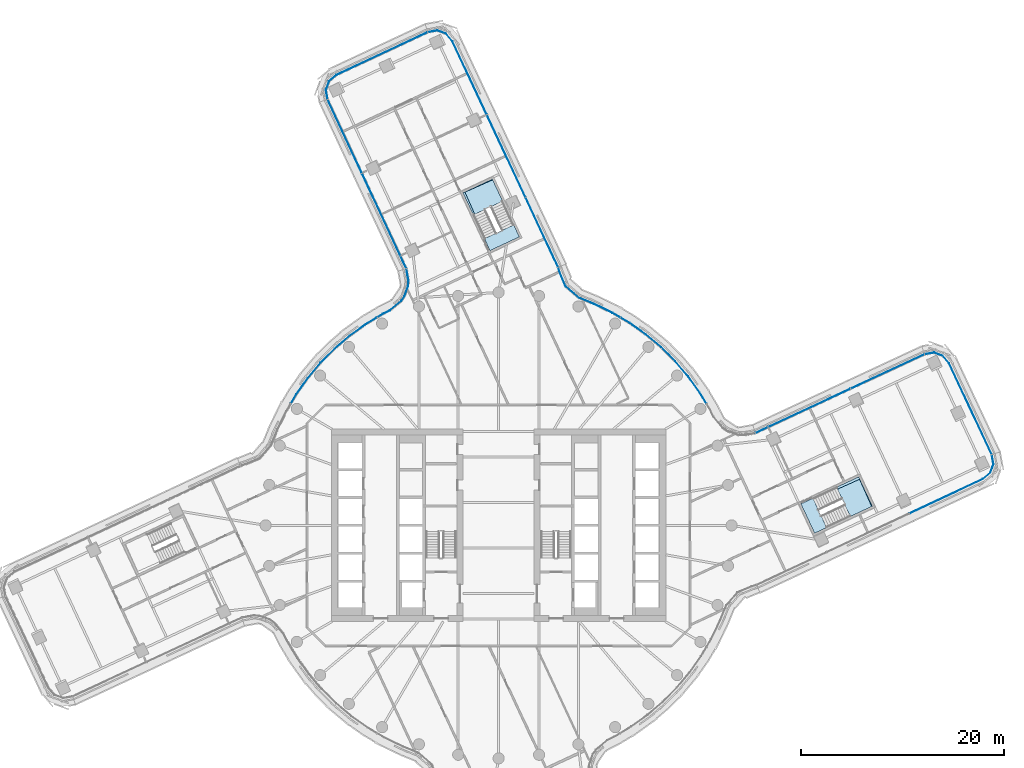
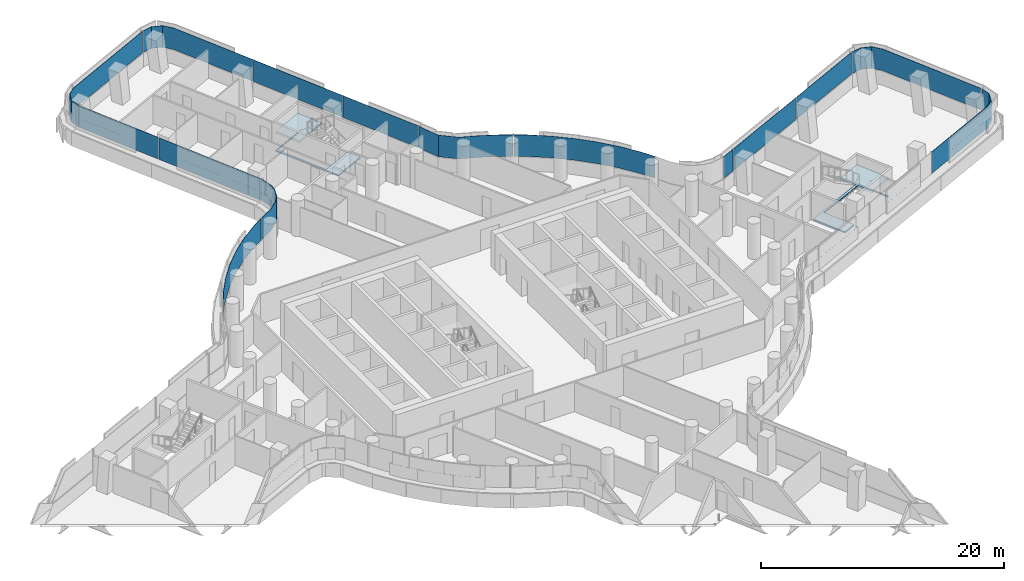
# One storey, part 22 of 36: 16 plates, 4 slabs, 10 elements without a shape of their own.
"""IFC4 building model written with IfcOpenShell, lengths in metres."""

from ifc_helpers import new_model, si_unit, direction, frame, origin, place, context, subcontext, project, spatial, polyline, outline, extrude, material, layer, layer_set, type_object, element, aggregate, save


model = new_model("IFC4")

# Units and contexts
model_context = context("Model", 3, precision=1e-05, world=origin(), true_north=direction((0.0, 1.0)))
body_context = subcontext(model_context, "Body", "Model", "MODEL_VIEW")
ifc_project = project(units=[si_unit("LENGTHUNIT", "METRE"), si_unit("AREAUNIT", "SQUARE_METRE"), si_unit("VOLUMEUNIT", "CUBIC_METRE"), si_unit("PLANEANGLEUNIT", "RADIAN"), si_unit("MASSUNIT", "GRAM", prefix="KILO")], contexts=[model_context])

# Site, building, storey
site_placement = place(None, origin())
site = spatial("IfcSite", under=ifc_project, at=site_placement, CompositionType="ELEMENT")
building_placement = place(site_placement, origin())
building = spatial("IfcBuilding", under=site, at=building_placement, Name="Tamarind Cross Interchange Tower", CompositionType="ELEMENT")
storey_placement = place(building_placement, frame((0.0, 0.0, 124.75)))
storey = spatial("IfcBuildingStorey", under=building, at=storey_placement, Name="L30", CompositionType="ELEMENT", Elevation=124.75)

# Slabs
ifc_material_1 = material(Name="Concrete C35", Category="concrete")
ifc_layer_1 = layer(ifc_material_1, 0.139892578125)
ifc_layer_set_1 = layer_set([ifc_layer_1], Name="Concrete C35")
slab_type_1 = type_object("IfcSlabType", Name="Composite slab 140 Concrete C35", PredefinedType="FLOOR", material=ifc_layer_set_1)
slab_1_placement = place(storey_placement, frame((0.0, 0.0, -0.139892578125)))
element("IfcSlab", 1, at=slab_1_placement, inside=storey, type_object=slab_type_1, Name="Floor slab L30", PredefinedType="FLOOR", context=body_context, shape_type="SweptSolid", body=[
    extrude(outline(polyline([(2.04736328125, 28.478271484375), (1.526611328125, 29.591552734375), (1.491455078125, 29.66650390625), (-1.302490234375, 28.359375), (-3.322998046875, 32.890625), (-0.587890625, 34.110107421875), (-0.62255859375, 34.1845703125), (-3.52099609375, 32.828369140625), (-0.85107421875, 27.1220703125), (2.04736328125, 28.478271484375)])), origin(), (0.0, 0.0, 1.0), 0.139892578125),
])
slab_2_placement = place(storey_placement, frame((0.0, 0.0, -0.139892578125)))
element("IfcSlab", 2, at=slab_2_placement, inside=storey, type_object=slab_type_1, Name="Floor slab L30", PredefinedType="FLOOR", context=body_context, shape_type="SweptSolid", body=[
    extrude(outline(polyline([(35.630615234375, 4.544677734375), (36.827880859375, 1.859375), (36.90185546875, 1.89404296875), (35.545654296875, 4.79248046875), (29.83935546875, 2.122314453125), (31.195556640625, -0.77587890625), (32.3837890625, -0.219970703125), (31.099853515625, 2.5244140625), (35.630615234375, 4.544677734375)])), origin(), (0.0, 0.0, 1.0), 0.139892578125),
])

# Stair, slab
ifc_material_2 = material(Name="Exit stair")
stair_type = type_object("IfcStairType", Name="Exit stair", PredefinedType="HALF_TURN_STAIR", material=ifc_material_2)
stair_1_placement = place(storey_placement, origin())
stair_1 = element("IfcStair", 3, at=stair_1_placement, inside=storey, type_object=stair_type, Name="L30 exit stair ST3", PredefinedType="HALF_TURN_STAIR")
ifc_material_3 = material(Name="Concrete C40", Category="concrete")
ifc_layer_2 = layer(ifc_material_3, 0.199951171875)
ifc_layer_set_2 = layer_set([ifc_layer_2], Name="Concrete C40")
slab_type_2 = type_object("IfcSlabType", Name="Stair landing", PredefinedType="LANDING", material=ifc_layer_set_2)
slab_3_placement = place(storey_placement, frame((0.0, 0.0, 1.675048828125)))
slab_3 = element("IfcSlab", 4, at=slab_3_placement, type_object=slab_type_2, Name="ST3 landing 1", PredefinedType="LANDING", context=body_context, shape_type="SweptSolid", body=[
    extrude(outline(polyline([(34.717041015625, 0.871826171875), (36.90185546875, 1.89404296875), (35.545654296875, 4.79248046875), (33.36083984375, 3.770263671875), (34.717041015625, 0.871826171875)])), origin(), (0.0, 0.0, 1.0), 0.199951171875),
])
aggregate(stair_1, [slab_3])

stair_2_placement = place(storey_placement, origin())
stair_2 = element("IfcStair", 5, at=stair_2_placement, inside=storey, type_object=stair_type, Name="L30 exit stair ST4", PredefinedType="HALF_TURN_STAIR")
slab_4_placement = place(storey_placement, frame((0.0, 0.0, 1.675048828125)))
slab_4 = element("IfcSlab", 6, at=slab_4_placement, type_object=slab_type_2, Name="ST4 landing 1", PredefinedType="LANDING", context=body_context, shape_type="SweptSolid", body=[
    extrude(outline(polyline([(0.399658203125, 31.999755859375), (-0.62255859375, 34.1845703125), (-3.52099609375, 32.828369140625), (-2.498779296875, 30.6435546875), (0.399658203125, 31.999755859375)])), origin(), (0.0, 0.0, 1.0), 0.199951171875),
])
aggregate(stair_2, [slab_4])

# Curtain wall, plate
ifc_material_4 = material(Name="Aluminium 6063-T6", Category="aluminium")
ifc_layer_3 = layer(ifc_material_4, 0.159912109375)
ifc_layer_set_3 = layer_set([ifc_layer_3], Name="Aluminium 6063-T6")
curtain_wall_type = type_object("IfcCurtainWallType", Name="Office curtain wall, 9.0 m bays", PredefinedType="NOTDEFINED", material=ifc_layer_set_3)
curtain_wall_1_placement = place(storey_placement, origin())
curtain_wall_1 = element("IfcCurtainWall", 7, at=curtain_wall_1_placement, inside=storey, type_object=curtain_wall_type, Name="CWS-L30-07", PredefinedType="NOTDEFINED")
ifc_material_5 = material(Name="Laminated low-e glass 8+1.52+8", Category="glass")
ifc_layer_4 = layer(ifc_material_5, 0.028076171875)
ifc_layer_set_4 = layer_set([ifc_layer_4], Name="Laminated low-e glass 8+1.52+8")
plate_type = type_object("IfcPlateType", Name="Vision panel CW1", PredefinedType="CURTAIN_PANEL", material=ifc_layer_set_4)
plate_1_placement = place(storey_placement, frame((0.0, 0.0, 1.39990234375)))
plate_1 = element("IfcPlate", 8, at=plate_1_placement, type_object=plate_type, Name="CWP-L30-07-02", PredefinedType="CURTAIN_PANEL", context=body_context, shape_type="SweptSolid", body=[
    extrude(outline(polyline([(40.560546875, 1.1923828125), (47.796630859375, 4.578369140625), (48.523193359375, 5.189697265625), (48.8369140625, 6.05517578125), (48.67578125, 6.962646484375), (48.703369140625, 6.967529296875), (48.865966796875, 6.052734375), (48.547119140625, 5.173095703125), (47.811767578125, 4.554443359375), (40.572265625, 1.1669921875), (40.560546875, 1.1923828125)])), origin(), (0.0, 0.0, 1.0), 2.170166015625),
])
aggregate(curtain_wall_1, [plate_1])

curtain_wall_2_placement = place(storey_placement, origin())
curtain_wall_2 = element("IfcCurtainWall", 9, at=curtain_wall_2_placement, inside=storey, type_object=curtain_wall_type, Name="CWS-L30-08", PredefinedType="NOTDEFINED")
plate_2_placement = place(storey_placement, frame((0.0, 0.0, 1.39990234375)))
plate_2 = element("IfcPlate", 10, at=plate_2_placement, type_object=plate_type, Name="CWP-L30-08-00", PredefinedType="CURTAIN_PANEL", context=body_context, shape_type="SweptSolid", body=[
    extrude(outline(polyline([(48.658935546875, 7.015869140625), (44.456787109375, 15.996826171875), (43.84521484375, 16.7236328125), (42.979736328125, 17.037353515625), (42.072265625, 16.8759765625), (42.067138671875, 16.903564453125), (42.982177734375, 17.066162109375), (43.86181640625, 16.747314453125), (44.48046875, 16.011962890625), (48.684326171875, 7.027587890625), (48.658935546875, 7.015869140625)])), origin(), (0.0, 0.0, 1.0), 2.170166015625),
])
aggregate(curtain_wall_2, [plate_2])

# Curtain wall, plates
curtain_wall_3_placement = place(storey_placement, origin())
curtain_wall_3 = element("IfcCurtainWall", 11, at=curtain_wall_3_placement, inside=storey, type_object=curtain_wall_type, Name="CWS-L30-09", PredefinedType="NOTDEFINED")
plate_3_placement = place(storey_placement, frame((0.0, 0.0, 1.39990234375)))
plate_3 = element("IfcPlate", 12, at=plate_3_placement, type_object=plate_type, Name="CWP-L30-09-00", PredefinedType="CURTAIN_PANEL", context=body_context, shape_type="SweptSolid", body=[
    extrude(outline(polyline([(42.018798828125, 16.859130859375), (34.790771484375, 13.492919921875), (34.77880859375, 13.518310546875), (42.007080078125, 16.884521484375), (42.018798828125, 16.859130859375)])), origin(), (0.0, 0.0, 1.0), 2.170166015625),
])
plate_4_placement = place(storey_placement, frame((0.0, 0.0, 1.39990234375)))
plate_4 = element("IfcPlate", 13, at=plate_4_placement, type_object=plate_type, Name="CWP-L30-09-01", PredefinedType="CURTAIN_PANEL", context=body_context, shape_type="SweptSolid", body=[
    extrude(outline(polyline([(34.736328125, 13.467529296875), (26.63232421875, 9.693359375), (26.620361328125, 9.71875), (34.724609375, 13.492919921875), (34.736328125, 13.467529296875)])), origin(), (0.0, 0.0, 1.0), 2.170166015625),
])
plate_5_placement = place(storey_placement, frame((0.0, 0.0, 1.39990234375)))
plate_5 = element("IfcPlate", 14, at=plate_5_placement, type_object=plate_type, Name="CWP-L30-09-02", PredefinedType="CURTAIN_PANEL", context=body_context, shape_type="SweptSolid", body=[
    extrude(outline(polyline([(26.577880859375, 9.668212890625), (25.381103515625, 9.11083984375), (25.369384765625, 9.13623046875), (26.56591796875, 9.693603515625), (26.577880859375, 9.668212890625)])), origin(), (0.0, 0.0, 1.0), 2.170166015625),
])
aggregate(curtain_wall_3, [plate_3, plate_4, plate_5])

curtain_wall_4_placement = place(storey_placement, origin())
curtain_wall_4 = element("IfcCurtainWall", 15, at=curtain_wall_4_placement, inside=storey, type_object=curtain_wall_type, Name="CWS-L30-10", PredefinedType="NOTDEFINED")
plate_6_placement = place(storey_placement, frame((0.0, 0.0, 1.39990234375)))
plate_6 = element("IfcPlate", 16, at=plate_6_placement, type_object=plate_type, Name="CWP-L30-10-01", PredefinedType="CURTAIN_PANEL", context=body_context, shape_type="SweptSolid", body=[
    extrude(outline(polyline([(20.507080078125, 12.00634765625), (19.85302734375, 13.093017578125), (18.7041015625, 14.687744140625), (17.42724609375, 16.18212890625), (16.031494140625, 17.56591796875), (14.526123046875, 18.829833984375), (12.921630859375, 19.965087890625), (12.019775390625, 20.497314453125), (12.033935546875, 20.521484375), (12.936767578125, 19.988525390625), (14.543212890625, 18.85205078125), (16.05029296875, 17.586669921875), (17.44775390625, 16.201171875), (18.72607421875, 14.705078125), (19.87646484375, 13.1083984375), (20.531005859375, 12.020751953125), (20.507080078125, 12.00634765625)])), origin(), (0.0, 0.0, 1.0), 2.170166015625),
])
plate_7_placement = place(storey_placement, frame((0.0, 0.0, 1.39990234375)))
plate_7 = element("IfcPlate", 17, at=plate_7_placement, type_object=plate_type, Name="CWP-L30-10-02", PredefinedType="CURTAIN_PANEL", context=body_context, shape_type="SweptSolid", body=[
    extrude(outline(polyline([(11.968017578125, 20.52783203125), (11.228759765625, 20.9638671875), (9.456787109375, 21.82080078125), (7.9052734375, 22.46142578125), (6.608154296875, 23.566650390625), (6.017822265625, 24.99169921875), (5.870361328125, 25.457275390625), (5.89697265625, 25.465576171875), (6.0439453125, 25.00146484375), (6.63134765625, 23.58349609375), (7.920166015625, 22.485595703125), (9.46826171875, 21.84619140625), (11.241943359375, 20.98876953125), (11.982177734375, 20.5517578125), (11.968017578125, 20.52783203125)])), origin(), (0.0, 0.0, 1.0), 2.170166015625),
])
aggregate(curtain_wall_4, [plate_6, plate_7])

curtain_wall_5_placement = place(storey_placement, origin())
curtain_wall_5 = element("IfcCurtainWall", 18, at=curtain_wall_5_placement, inside=storey, type_object=curtain_wall_type, Name="CWS-L30-11", PredefinedType="NOTDEFINED")
plate_8_placement = place(storey_placement, frame((0.0, 0.0, 1.39990234375)))
plate_8 = element("IfcPlate", 19, at=plate_8_placement, type_object=plate_type, Name="CWP-L30-11-00", PredefinedType="CURTAIN_PANEL", context=body_context, shape_type="SweptSolid", body=[
    extrude(outline(polyline([(5.84912109375, 25.51123046875), (2.64111328125, 32.3671875), (2.66650390625, 32.379150390625), (5.87451171875, 25.523193359375), (5.84912109375, 25.51123046875)])), origin(), (0.0, 0.0, 1.0), 2.170166015625),
])
plate_9_placement = place(storey_placement, frame((0.0, 0.0, 1.39990234375)))
plate_9 = element("IfcPlate", 20, at=plate_9_placement, type_object=plate_type, Name="CWP-L30-11-01", PredefinedType="CURTAIN_PANEL", context=body_context, shape_type="SweptSolid", body=[
    extrude(outline(polyline([(2.61572265625, 32.421630859375), (-1.1669921875, 40.506103515625), (-1.1416015625, 40.51806640625), (2.64111328125, 32.43359375), (2.61572265625, 32.421630859375)])), origin(), (0.0, 0.0, 1.0), 2.170166015625),
])
plate_10_placement = place(storey_placement, frame((0.0, 0.0, 1.39990234375)))
plate_10 = element("IfcPlate", 21, at=plate_10_placement, type_object=plate_type, Name="CWP-L30-11-02", PredefinedType="CURTAIN_PANEL", context=body_context, shape_type="SweptSolid", body=[
    extrude(outline(polyline([(-1.1923828125, 40.560546875), (-4.578369140625, 47.796630859375), (-5.189697265625, 48.523193359375), (-6.05517578125, 48.8369140625), (-6.962646484375, 48.67578125), (-6.967529296875, 48.703369140625), (-6.052734375, 48.865966796875), (-5.173095703125, 48.547119140625), (-4.554443359375, 47.811767578125), (-1.1669921875, 40.572265625), (-1.1923828125, 40.560546875)])), origin(), (0.0, 0.0, 1.0), 2.170166015625),
])
aggregate(curtain_wall_5, [plate_8, plate_9, plate_10])

# Curtain wall, plate
curtain_wall_6_placement = place(storey_placement, origin())
curtain_wall_6 = element("IfcCurtainWall", 22, at=curtain_wall_6_placement, inside=storey, type_object=curtain_wall_type, Name="CWS-L30-12", PredefinedType="NOTDEFINED")
plate_11_placement = place(storey_placement, frame((0.0, 0.0, 1.39990234375)))
plate_11 = element("IfcPlate", 23, at=plate_11_placement, type_object=plate_type, Name="CWP-L30-12-00", PredefinedType="CURTAIN_PANEL", context=body_context, shape_type="SweptSolid", body=[
    extrude(outline(polyline([(-7.015869140625, 48.658935546875), (-15.996826171875, 44.456787109375), (-16.7236328125, 43.84521484375), (-17.037353515625, 42.979736328125), (-16.8759765625, 42.072265625), (-16.903564453125, 42.067138671875), (-17.066162109375, 42.982177734375), (-16.747314453125, 43.86181640625), (-16.011962890625, 44.48046875), (-7.027587890625, 48.684326171875), (-7.015869140625, 48.658935546875)])), origin(), (0.0, 0.0, 1.0), 2.170166015625),
])
aggregate(curtain_wall_6, [plate_11])

# Curtain wall, plates
curtain_wall_7_placement = place(storey_placement, origin())
curtain_wall_7 = element("IfcCurtainWall", 24, at=curtain_wall_7_placement, inside=storey, type_object=curtain_wall_type, Name="CWS-L30-13", PredefinedType="NOTDEFINED")
plate_12_placement = place(storey_placement, frame((0.0, 0.0, 1.39990234375)))
plate_12 = element("IfcPlate", 25, at=plate_12_placement, type_object=plate_type, Name="CWP-L30-13-00", PredefinedType="CURTAIN_PANEL", context=body_context, shape_type="SweptSolid", body=[
    extrude(outline(polyline([(-16.859130859375, 42.018798828125), (-13.492919921875, 34.790771484375), (-13.518310546875, 34.77880859375), (-16.884521484375, 42.007080078125), (-16.859130859375, 42.018798828125)])), origin(), (0.0, 0.0, 1.0), 2.170166015625),
])
plate_13_placement = place(storey_placement, frame((0.0, 0.0, 1.39990234375)))
plate_13 = element("IfcPlate", 26, at=plate_13_placement, type_object=plate_type, Name="CWP-L30-13-01", PredefinedType="CURTAIN_PANEL", context=body_context, shape_type="SweptSolid", body=[
    extrude(outline(polyline([(-13.467529296875, 34.736328125), (-9.693359375, 26.63232421875), (-9.71875, 26.620361328125), (-13.492919921875, 34.724609375), (-13.467529296875, 34.736328125)])), origin(), (0.0, 0.0, 1.0), 2.170166015625),
])
plate_14_placement = place(storey_placement, frame((0.0, 0.0, 1.39990234375)))
plate_14 = element("IfcPlate", 27, at=plate_14_placement, type_object=plate_type, Name="CWP-L30-13-02", PredefinedType="CURTAIN_PANEL", context=body_context, shape_type="SweptSolid", body=[
    extrude(outline(polyline([(-9.668212890625, 26.577880859375), (-9.11083984375, 25.381103515625), (-9.13623046875, 25.369384765625), (-9.693603515625, 26.56591796875), (-9.668212890625, 26.577880859375)])), origin(), (0.0, 0.0, 1.0), 2.170166015625),
])
aggregate(curtain_wall_7, [plate_12, plate_13, plate_14])

curtain_wall_8_placement = place(storey_placement, origin())
curtain_wall_8 = element("IfcCurtainWall", 28, at=curtain_wall_8_placement, inside=storey, type_object=curtain_wall_type, Name="CWS-L30-14", PredefinedType="NOTDEFINED")
plate_15_placement = place(storey_placement, frame((0.0, 0.0, 1.39990234375)))
plate_15 = element("IfcPlate", 29, at=plate_15_placement, type_object=plate_type, Name="CWP-L30-14-00", PredefinedType="CURTAIN_PANEL", context=body_context, shape_type="SweptSolid", body=[
    extrude(outline(polyline([(-9.091796875, 25.321044921875), (-8.8837890625, 24.169677734375), (-8.9287109375, 23.6123046875), (-9.28515625, 22.601806640625), (-9.6015625, 22.1376953125), (-10.724609375, 21.210693359375), (-11.408203125, 20.866943359375), (-11.954833984375, 20.537841796875), (-11.96923828125, 20.56201171875), (-11.421630859375, 20.891357421875), (-10.739990234375, 21.234375), (-9.622314453125, 22.15673828125), (-9.310302734375, 22.61474609375), (-8.956298828125, 23.6181640625), (-8.912109375, 24.168212890625), (-9.119384765625, 25.316162109375), (-9.091796875, 25.321044921875)])), origin(), (0.0, 0.0, 1.0), 2.170166015625),
])
plate_16_placement = place(storey_placement, frame((0.0, 0.0, 1.39990234375)))
plate_16 = element("IfcPlate", 30, at=plate_16_placement, type_object=plate_type, Name="CWP-L30-14-01", PredefinedType="CURTAIN_PANEL", context=body_context, shape_type="SweptSolid", body=[
    extrude(outline(polyline([(-12.00634765625, 20.507080078125), (-13.093017578125, 19.85302734375), (-14.687744140625, 18.7041015625), (-16.18212890625, 17.42724609375), (-17.56591796875, 16.031494140625), (-18.829833984375, 14.526123046875), (-19.965087890625, 12.921630859375), (-20.497314453125, 12.019775390625), (-20.521484375, 12.033935546875), (-19.988525390625, 12.936767578125), (-18.85205078125, 14.543212890625), (-17.586669921875, 16.05029296875), (-16.201171875, 17.44775390625), (-14.705078125, 18.72607421875), (-13.1083984375, 19.87646484375), (-12.020751953125, 20.531005859375), (-12.00634765625, 20.507080078125)])), origin(), (0.0, 0.0, 1.0), 2.170166015625),
])
aggregate(curtain_wall_8, [plate_15, plate_16])

save(model, "model.ifc")
